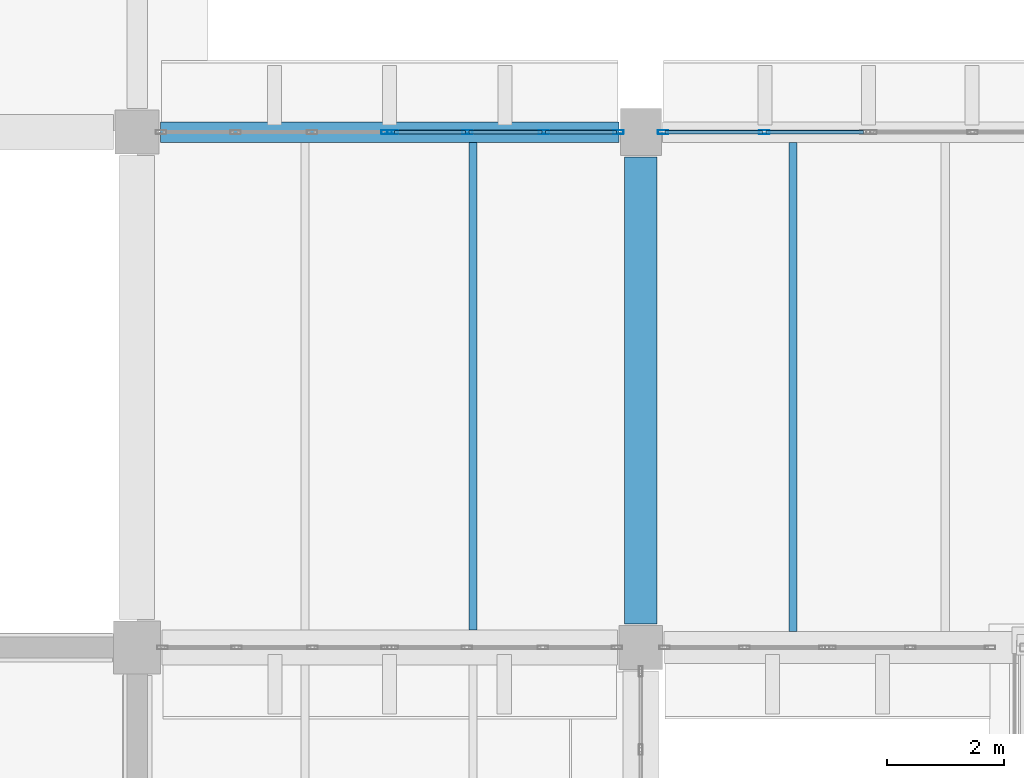
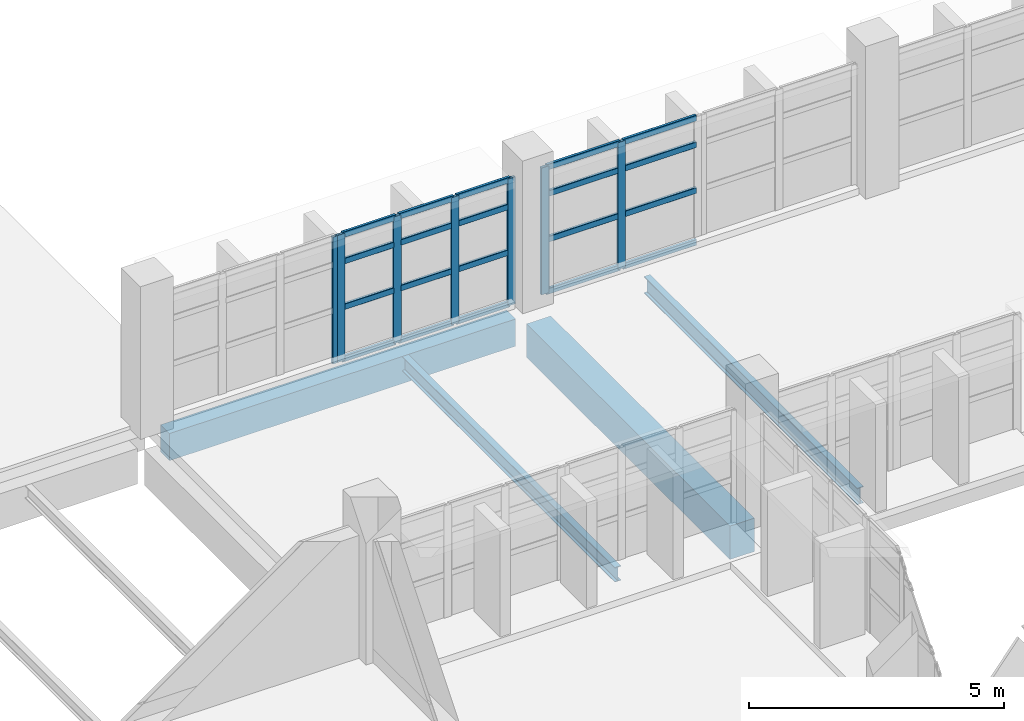
# One storey, part 25 of 80: 27 members, 4 beams, 3 elements without a shape of their own.
"""IFC4 building model written with IfcOpenShell, lengths in metres."""

from ifc_helpers import new_model, si_unit, direction, frame, origin, origin_2d, place, context, subcontext, project, spatial, rectangle, hollow_rectangle, i_section, extrude, material, material_profile, profile_set, type_object, element, aggregate, save


model = new_model("IFC4")

# Units and contexts
model_context = context("Model", 3, precision=1e-05, world=origin(), true_north=direction((0.0, 1.0)))
body_context = subcontext(model_context, "Body", "Model", "MODEL_VIEW")
ifc_project = project(units=[si_unit("LENGTHUNIT", "METRE"), si_unit("AREAUNIT", "SQUARE_METRE"), si_unit("VOLUMEUNIT", "CUBIC_METRE"), si_unit("PLANEANGLEUNIT", "RADIAN"), si_unit("MASSUNIT", "GRAM", prefix="KILO")], contexts=[model_context])

# Site, building, storey
site_placement = place(None, origin())
site = spatial("IfcSite", under=ifc_project, at=site_placement, CompositionType="ELEMENT")
building_placement = place(site_placement, origin())
building = spatial("IfcBuilding", under=site, at=building_placement, Name="Varnakota Cinema and Media Centre", CompositionType="ELEMENT")
storey_placement = place(building_placement, frame((0.0, 0.0, 4.5)))
storey = spatial("IfcBuildingStorey", under=building, at=storey_placement, Name="L01", CompositionType="ELEMENT", Elevation=4.5)

# Beams
ifc_material_1 = material(Name="Concrete M35", Category="concrete")
ifc_material_profile_1 = material_profile(ifc_material_1, rectangle(XDim=0.550048828125, YDim=0.800048828125, at=origin_2d()), Name="RCB 550x800")
ifc_profile_set_1 = profile_set([ifc_material_profile_1], Name="Concrete M35")
beam_type_1 = type_object("IfcBeamType", Name="BM-RC-550x800", PredefinedType="BEAM", material=ifc_profile_set_1)
beam_1_placement = place(storey_placement, frame((51.60009765625, 35.60009765625, -0.64990234375), z_axis=(0.0, 1.0, 0.0), x_axis=(-1.0, 0.0, 0.0)))
element("IfcBeam", 1, at=beam_1_placement, inside=storey, type_object=beam_type_1, Name="L01 girder G/5-6", PredefinedType="BEAM", context=body_context, shape_type="SweptSolid", body=[
    extrude(rectangle(XDim=0.550048828125, YDim=0.800048828125, at=origin_2d()), origin(), (0.0, 0.0, 1.0), 7.974853515625),
])
ifc_material_2 = material(Name="Concrete M40", Category="concrete")
ifc_material_profile_2 = material_profile(ifc_material_2, rectangle(XDim=0.35009765625, YDim=0.64990234375, at=origin_2d()), Name="RCB 350x650")
ifc_profile_set_2 = profile_set([ifc_material_profile_2], Name="Concrete M40")
beam_type_2 = type_object("IfcBeamType", Name="BM-SP-350x650", PredefinedType="SPANDREL", material=ifc_profile_set_2)
beam_2_placement = place(storey_placement, frame((43.39990234375, 44.0, -0.574951171875), z_axis=(1.0, 0.0, 0.0), x_axis=(0.0, 1.0, 0.0)))
element("IfcBeam", 2, at=beam_2_placement, inside=storey, type_object=beam_type_2, Name="L01 girder F-G/6", PredefinedType="SPANDREL", context=body_context, shape_type="SweptSolid", body=[
    extrude(rectangle(XDim=0.35009765625, YDim=0.64990234375, at=origin_2d()), origin(), (0.0, 0.0, 1.0), 7.8251953125),
])
ifc_material_3 = material(Name="Structural steel Grade 350 (E350)", Category="steel")
ifc_material_profile_3 = material_profile(ifc_material_3, i_section(OverallWidth=0.139892578125, OverallDepth=0.35009765625, WebThickness=0.008056640625, FlangeThickness=0.01416015625, FilletRadius=0.013916015625, at=origin_2d()), Name="ISMB 350")
ifc_profile_set_3 = profile_set([ifc_material_profile_3], Name="Structural steel Grade 350 (E350)")
beam_type_3 = type_object("IfcBeamType", Name="BM-ST-ISMB350", PredefinedType="JOIST", material=ifc_profile_set_3)
beam_3_placement = place(storey_placement, frame((48.7333984375, 35.5, -0.425048828125), z_axis=(0.0, 1.0, 0.0), x_axis=(-1.0, 0.0, 0.0)))
element("IfcBeam", 3, at=beam_3_placement, inside=storey, type_object=beam_type_3, Name="L01 steel joist F-G/5-6 #2", PredefinedType="JOIST", context=body_context, shape_type="SweptSolid", body=[
    extrude(i_section(OverallWidth=0.139892578125, OverallDepth=0.35009765625, WebThickness=0.008056640625, FlangeThickness=0.01416015625, FilletRadius=0.013916015625, at=origin_2d()), origin(), (0.0, 0.0, 1.0), 8.324951171875),
])
ifc_material_4 = material(Name="Structural steel Grade 350 (E350)", Category="steel")
ifc_material_profile_4 = material_profile(ifc_material_4, i_section(OverallWidth=0.139892578125, OverallDepth=0.39990234375, WebThickness=0.0087890625, FlangeThickness=0.01611328125, FilletRadius=0.013916015625, at=origin_2d()), Name="ISMB 400")
ifc_profile_set_4 = profile_set([ifc_material_profile_4], Name="Structural steel Grade 350 (E350)")
beam_type_4 = type_object("IfcBeamType", Name="BM-ST-ISMB400", PredefinedType="JOIST", material=ifc_profile_set_4)
beam_4_placement = place(storey_placement, frame((54.199951171875, 35.47509765625, -0.449951171875), z_axis=(0.0, 1.0, 0.0), x_axis=(-1.0, 0.0, 0.0)))
element("IfcBeam", 4, at=beam_4_placement, inside=storey, type_object=beam_type_4, Name="L01 steel joist G-H/5-6 #1", PredefinedType="JOIST", context=body_context, shape_type="SweptSolid", body=[
    extrude(i_section(OverallWidth=0.139892578125, OverallDepth=0.39990234375, WebThickness=0.0087890625, FlangeThickness=0.01611328125, FilletRadius=0.013916015625, at=origin_2d()), origin(), (0.0, 0.0, 1.0), 8.349853515625),
])

# Curtain wall, member
ifc_material_5 = material(Name="Thermally broken anodised aluminium AW-6063", Category="aluminium")
curtain_wall_type_1 = type_object("IfcCurtainWallType", Name="CW-STD-392x304", PredefinedType="USERDEFINED", material=ifc_material_5)
curtain_wall_1_placement = place(storey_placement, origin())
curtain_wall_1 = element("IfcCurtainWall", 5, at=curtain_wall_1_placement, inside=storey, type_object=curtain_wall_type_1, Name="L01 curtain wall CW-L01-LINK-N-01-1", ObjectType="UNITISED CURTAIN WALL", PredefinedType="USERDEFINED")
ifc_material_6 = material(Name="Thermally broken anodised aluminium AW-6063", Category="aluminium")
ifc_material_profile_5 = material_profile(ifc_material_6, hollow_rectangle(XDim=0.06494140625, YDim=0.179931640625, WallThickness=0.00390625, InnerFilletRadius=0.00390625, OuterFilletRadius=0.008056640625, at=origin_2d()), Name="AL-MULLION 180x65x4")
ifc_profile_set_5 = profile_set([ifc_material_profile_5], Name="Thermally broken anodised aluminium AW-6063")
member_type_1 = type_object("IfcMemberType", Name="CWM-AL-180", PredefinedType="MULLION", material=ifc_profile_set_5)
member_1_placement = place(storey_placement, frame((47.260009765625, 44.0, 0.0), z_axis=(0.0, 0.0, 1.0), x_axis=(0.0, 1.0, 0.0)))
member_1 = element("IfcMember", 6, at=member_1_placement, type_object=member_type_1, Name="CW18 mullion 4", PredefinedType="MULLION", context=body_context, shape_type="SweptSolid", body=[
    extrude(hollow_rectangle(XDim=0.06494140625, YDim=0.179931640625, WallThickness=0.00390625, InnerFilletRadius=0.00390625, OuterFilletRadius=0.008056640625, at=origin_2d()), origin(), (0.0, 0.0, 1.0), 3.034912109375),
])
aggregate(curtain_wall_1, [member_1])

# Curtain wall, members
curtain_wall_2_placement = place(storey_placement, origin())
curtain_wall_2 = element("IfcCurtainWall", 7, at=curtain_wall_2_placement, inside=storey, type_object=curtain_wall_type_1, Name="L01 curtain wall CW-L01-LINK-N-01-2", ObjectType="UNITISED CURTAIN WALL", PredefinedType="USERDEFINED")
member_2_placement = place(storey_placement, frame((47.364990234375, 44.0, 0.0), z_axis=(0.0, 0.0, 1.0), x_axis=(0.0, 1.0, 0.0)))
member_2 = element("IfcMember", 8, at=member_2_placement, type_object=member_type_1, Name="CW18 mullion 1", PredefinedType="MULLION", context=body_context, shape_type="SweptSolid", body=[
    extrude(hollow_rectangle(XDim=0.06494140625, YDim=0.179931640625, WallThickness=0.00390625, InnerFilletRadius=0.00390625, OuterFilletRadius=0.008056640625, at=origin_2d()), origin(), (0.0, 0.0, 1.0), 3.034912109375),
])
member_3_placement = place(storey_placement, frame((48.638427734375, 44.0, 0.0), z_axis=(0.0, 0.0, 1.0), x_axis=(0.0, 1.0, 0.0)))
member_3 = element("IfcMember", 9, at=member_3_placement, type_object=member_type_1, Name="CW18 mullion 2", PredefinedType="MULLION", context=body_context, shape_type="SweptSolid", body=[
    extrude(hollow_rectangle(XDim=0.06494140625, YDim=0.179931640625, WallThickness=0.00390625, InnerFilletRadius=0.00390625, OuterFilletRadius=0.008056640625, at=origin_2d()), origin(), (0.0, 0.0, 1.0), 3.034912109375),
])
member_4_placement = place(storey_placement, frame((49.944091796875, 44.0, 0.0), z_axis=(0.0, 0.0, 1.0), x_axis=(0.0, 1.0, 0.0)))
member_4 = element("IfcMember", 10, at=member_4_placement, type_object=member_type_1, Name="CW18 mullion 3", PredefinedType="MULLION", context=body_context, shape_type="SweptSolid", body=[
    extrude(hollow_rectangle(XDim=0.06494140625, YDim=0.179931640625, WallThickness=0.00390625, InnerFilletRadius=0.00390625, OuterFilletRadius=0.008056640625, at=origin_2d()), origin(), (0.0, 0.0, 1.0), 3.034912109375),
])
member_5_placement = place(storey_placement, frame((51.217529296875, 44.0, 0.0), z_axis=(0.0, 0.0, 1.0), x_axis=(0.0, 1.0, 0.0)))
member_5 = element("IfcMember", 11, at=member_5_placement, type_object=member_type_1, Name="CW18 mullion 4", PredefinedType="MULLION", context=body_context, shape_type="SweptSolid", body=[
    extrude(hollow_rectangle(XDim=0.06494140625, YDim=0.179931640625, WallThickness=0.00390625, InnerFilletRadius=0.00390625, OuterFilletRadius=0.008056640625, at=origin_2d()), origin(), (0.0, 0.0, 1.0), 3.034912109375),
])

ifc_material_7 = material(Name="Thermally broken anodised aluminium AW-6063", Category="aluminium")
curtain_wall_type_2 = type_object("IfcCurtainWallType", Name="CW-STD-352x304", PredefinedType="USERDEFINED", material=ifc_material_7)
curtain_wall_3_placement = place(storey_placement, origin())
curtain_wall_3 = element("IfcCurtainWall", 12, at=curtain_wall_3_placement, inside=storey, type_object=curtain_wall_type_2, Name="L01 curtain wall CW-L01-LINK-N-02-1", ObjectType="UNITISED CURTAIN WALL", PredefinedType="USERDEFINED")
member_6_placement = place(storey_placement, frame((51.982421875, 44.0, 0.0), z_axis=(0.0, 0.0, 1.0), x_axis=(0.0, 1.0, 0.0)))
member_6 = element("IfcMember", 13, at=member_6_placement, type_object=member_type_1, Name="CW19 mullion 1", PredefinedType="MULLION", context=body_context, shape_type="SweptSolid", body=[
    extrude(hollow_rectangle(XDim=0.06494140625, YDim=0.179931640625, WallThickness=0.00390625, InnerFilletRadius=0.00390625, OuterFilletRadius=0.008056640625, at=origin_2d()), origin(), (0.0, 0.0, 1.0), 3.034912109375),
])
member_7_placement = place(storey_placement, frame((53.708740234375, 44.0, 0.0), z_axis=(0.0, 0.0, 1.0), x_axis=(0.0, 1.0, 0.0)))
member_7 = element("IfcMember", 14, at=member_7_placement, type_object=member_type_1, Name="CW19 mullion 2", PredefinedType="MULLION", context=body_context, shape_type="SweptSolid", body=[
    extrude(hollow_rectangle(XDim=0.06494140625, YDim=0.179931640625, WallThickness=0.00390625, InnerFilletRadius=0.00390625, OuterFilletRadius=0.008056640625, at=origin_2d()), origin(), (0.0, 0.0, 1.0), 3.034912109375),
])

# Member
ifc_material_8 = material(Name="Thermally broken anodised aluminium AW-6063", Category="aluminium")
ifc_material_profile_6 = material_profile(ifc_material_8, hollow_rectangle(XDim=0.06494140625, YDim=0.139892578125, WallThickness=0.00390625, InnerFilletRadius=0.00390625, OuterFilletRadius=0.008056640625, at=origin_2d()), Name="AL-TRANSOM 140x65x4")
ifc_profile_set_6 = profile_set([ifc_material_profile_6], Name="Thermally broken anodised aluminium AW-6063")
member_type_2 = type_object("IfcMemberType", Name="CWT-AL-140", PredefinedType="USERDEFINED", material=ifc_profile_set_6)
member_8_placement = place(storey_placement, frame((47.3974609375, 44.0, 0.032470703125), z_axis=(1.0, 0.0, 0.0), x_axis=(0.0, 1.0, 0.0)))
member_8 = element("IfcMember", 15, at=member_8_placement, type_object=member_type_2, Name="CW18 transom 1.1", ObjectType="TRANSOM", PredefinedType="USERDEFINED", context=body_context, shape_type="SweptSolid", body=[
    extrude(hollow_rectangle(XDim=0.06494140625, YDim=0.139892578125, WallThickness=0.00390625, InnerFilletRadius=0.00390625, OuterFilletRadius=0.008056640625, at=origin_2d()), origin(), (0.0, 0.0, 1.0), 1.208251953125),
])

member_9_placement = place(storey_placement, frame((47.3974609375, 44.0, 1.274658203125), z_axis=(1.0, 0.0, 0.0), x_axis=(0.0, 1.0, 0.0)))
member_9 = element("IfcMember", 16, at=member_9_placement, type_object=member_type_2, Name="CW18 transom 1.2", ObjectType="TRANSOM", PredefinedType="USERDEFINED", context=body_context, shape_type="SweptSolid", body=[
    extrude(hollow_rectangle(XDim=0.06494140625, YDim=0.139892578125, WallThickness=0.00390625, InnerFilletRadius=0.00390625, OuterFilletRadius=0.008056640625, at=origin_2d()), origin(), (0.0, 0.0, 1.0), 1.208251953125),
])

member_10_placement = place(storey_placement, frame((47.3974609375, 44.0, 2.3671875), z_axis=(1.0, 0.0, 0.0), x_axis=(0.0, 1.0, 0.0)))
member_10 = element("IfcMember", 17, at=member_10_placement, type_object=member_type_2, Name="CW18 transom 1.3", ObjectType="TRANSOM", PredefinedType="USERDEFINED", context=body_context, shape_type="SweptSolid", body=[
    extrude(hollow_rectangle(XDim=0.06494140625, YDim=0.139892578125, WallThickness=0.00390625, InnerFilletRadius=0.00390625, OuterFilletRadius=0.008056640625, at=origin_2d()), origin(), (0.0, 0.0, 1.0), 1.208251953125),
])

member_11_placement = place(storey_placement, frame((47.3974609375, 44.0, 3.00244140625), z_axis=(1.0, 0.0, 0.0), x_axis=(0.0, 1.0, 0.0)))
member_11 = element("IfcMember", 18, at=member_11_placement, type_object=member_type_2, Name="CW18 transom 1.4", ObjectType="TRANSOM", PredefinedType="USERDEFINED", context=body_context, shape_type="SweptSolid", body=[
    extrude(hollow_rectangle(XDim=0.06494140625, YDim=0.139892578125, WallThickness=0.00390625, InnerFilletRadius=0.00390625, OuterFilletRadius=0.008056640625, at=origin_2d()), origin(), (0.0, 0.0, 1.0), 1.208251953125),
])

member_12_placement = place(storey_placement, frame((48.6708984375, 44.0, 0.032470703125), z_axis=(1.0, 0.0, 0.0), x_axis=(0.0, 1.0, 0.0)))
member_12 = element("IfcMember", 19, at=member_12_placement, type_object=member_type_2, Name="CW18 transom 2.1", ObjectType="TRANSOM", PredefinedType="USERDEFINED", context=body_context, shape_type="SweptSolid", body=[
    extrude(hollow_rectangle(XDim=0.06494140625, YDim=0.139892578125, WallThickness=0.00390625, InnerFilletRadius=0.00390625, OuterFilletRadius=0.008056640625, at=origin_2d()), origin(), (0.0, 0.0, 1.0), 1.24072265625),
])

member_13_placement = place(storey_placement, frame((48.6708984375, 44.0, 1.274658203125), z_axis=(1.0, 0.0, 0.0), x_axis=(0.0, 1.0, 0.0)))
member_13 = element("IfcMember", 20, at=member_13_placement, type_object=member_type_2, Name="CW18 transom 2.2", ObjectType="TRANSOM", PredefinedType="USERDEFINED", context=body_context, shape_type="SweptSolid", body=[
    extrude(hollow_rectangle(XDim=0.06494140625, YDim=0.139892578125, WallThickness=0.00390625, InnerFilletRadius=0.00390625, OuterFilletRadius=0.008056640625, at=origin_2d()), origin(), (0.0, 0.0, 1.0), 1.24072265625),
])

member_14_placement = place(storey_placement, frame((48.6708984375, 44.0, 2.3671875), z_axis=(1.0, 0.0, 0.0), x_axis=(0.0, 1.0, 0.0)))
member_14 = element("IfcMember", 21, at=member_14_placement, type_object=member_type_2, Name="CW18 transom 2.3", ObjectType="TRANSOM", PredefinedType="USERDEFINED", context=body_context, shape_type="SweptSolid", body=[
    extrude(hollow_rectangle(XDim=0.06494140625, YDim=0.139892578125, WallThickness=0.00390625, InnerFilletRadius=0.00390625, OuterFilletRadius=0.008056640625, at=origin_2d()), origin(), (0.0, 0.0, 1.0), 1.24072265625),
])

member_15_placement = place(storey_placement, frame((48.6708984375, 44.0, 3.00244140625), z_axis=(1.0, 0.0, 0.0), x_axis=(0.0, 1.0, 0.0)))
member_15 = element("IfcMember", 22, at=member_15_placement, type_object=member_type_2, Name="CW18 transom 2.4", ObjectType="TRANSOM", PredefinedType="USERDEFINED", context=body_context, shape_type="SweptSolid", body=[
    extrude(hollow_rectangle(XDim=0.06494140625, YDim=0.139892578125, WallThickness=0.00390625, InnerFilletRadius=0.00390625, OuterFilletRadius=0.008056640625, at=origin_2d()), origin(), (0.0, 0.0, 1.0), 1.24072265625),
])

member_16_placement = place(storey_placement, frame((49.9765625, 44.0, 0.032470703125), z_axis=(1.0, 0.0, 0.0), x_axis=(0.0, 1.0, 0.0)))
member_16 = element("IfcMember", 23, at=member_16_placement, type_object=member_type_2, Name="CW18 transom 3.1", ObjectType="TRANSOM", PredefinedType="USERDEFINED", context=body_context, shape_type="SweptSolid", body=[
    extrude(hollow_rectangle(XDim=0.06494140625, YDim=0.139892578125, WallThickness=0.00390625, InnerFilletRadius=0.00390625, OuterFilletRadius=0.008056640625, at=origin_2d()), origin(), (0.0, 0.0, 1.0), 1.20849609375),
])

member_17_placement = place(storey_placement, frame((49.9765625, 44.0, 1.274658203125), z_axis=(1.0, 0.0, 0.0), x_axis=(0.0, 1.0, 0.0)))
member_17 = element("IfcMember", 24, at=member_17_placement, type_object=member_type_2, Name="CW18 transom 3.2", ObjectType="TRANSOM", PredefinedType="USERDEFINED", context=body_context, shape_type="SweptSolid", body=[
    extrude(hollow_rectangle(XDim=0.06494140625, YDim=0.139892578125, WallThickness=0.00390625, InnerFilletRadius=0.00390625, OuterFilletRadius=0.008056640625, at=origin_2d()), origin(), (0.0, 0.0, 1.0), 1.20849609375),
])

member_18_placement = place(storey_placement, frame((49.9765625, 44.0, 2.3671875), z_axis=(1.0, 0.0, 0.0), x_axis=(0.0, 1.0, 0.0)))
member_18 = element("IfcMember", 25, at=member_18_placement, type_object=member_type_2, Name="CW18 transom 3.3", ObjectType="TRANSOM", PredefinedType="USERDEFINED", context=body_context, shape_type="SweptSolid", body=[
    extrude(hollow_rectangle(XDim=0.06494140625, YDim=0.139892578125, WallThickness=0.00390625, InnerFilletRadius=0.00390625, OuterFilletRadius=0.008056640625, at=origin_2d()), origin(), (0.0, 0.0, 1.0), 1.20849609375),
])

member_19_placement = place(storey_placement, frame((49.9765625, 44.0, 3.00244140625), z_axis=(1.0, 0.0, 0.0), x_axis=(0.0, 1.0, 0.0)))
member_19 = element("IfcMember", 26, at=member_19_placement, type_object=member_type_2, Name="CW18 transom 3.4", ObjectType="TRANSOM", PredefinedType="USERDEFINED", context=body_context, shape_type="SweptSolid", body=[
    extrude(hollow_rectangle(XDim=0.06494140625, YDim=0.139892578125, WallThickness=0.00390625, InnerFilletRadius=0.00390625, OuterFilletRadius=0.008056640625, at=origin_2d()), origin(), (0.0, 0.0, 1.0), 1.20849609375),
])

aggregate(curtain_wall_2, [member_2, member_3, member_4, member_5, member_8, member_9, member_10, member_11, member_12, member_13, member_14, member_15, member_16, member_17, member_18, member_19])

member_20_placement = place(storey_placement, frame((52.014892578125, 44.0, 0.032470703125), z_axis=(1.0, 0.0, 0.0), x_axis=(0.0, 1.0, 0.0)))
member_20 = element("IfcMember", 27, at=member_20_placement, type_object=member_type_2, Name="CW19 transom 1.1", ObjectType="TRANSOM", PredefinedType="USERDEFINED", context=body_context, shape_type="SweptSolid", body=[
    extrude(hollow_rectangle(XDim=0.06494140625, YDim=0.139892578125, WallThickness=0.00390625, InnerFilletRadius=0.00390625, OuterFilletRadius=0.008056640625, at=origin_2d()), origin(), (0.0, 0.0, 1.0), 1.661376953125),
])

member_21_placement = place(storey_placement, frame((52.014892578125, 44.0, 1.274658203125), z_axis=(1.0, 0.0, 0.0), x_axis=(0.0, 1.0, 0.0)))
member_21 = element("IfcMember", 28, at=member_21_placement, type_object=member_type_2, Name="CW19 transom 1.2", ObjectType="TRANSOM", PredefinedType="USERDEFINED", context=body_context, shape_type="SweptSolid", body=[
    extrude(hollow_rectangle(XDim=0.06494140625, YDim=0.139892578125, WallThickness=0.00390625, InnerFilletRadius=0.00390625, OuterFilletRadius=0.008056640625, at=origin_2d()), origin(), (0.0, 0.0, 1.0), 1.661376953125),
])

member_22_placement = place(storey_placement, frame((52.014892578125, 44.0, 2.3671875), z_axis=(1.0, 0.0, 0.0), x_axis=(0.0, 1.0, 0.0)))
member_22 = element("IfcMember", 29, at=member_22_placement, type_object=member_type_2, Name="CW19 transom 1.3", ObjectType="TRANSOM", PredefinedType="USERDEFINED", context=body_context, shape_type="SweptSolid", body=[
    extrude(hollow_rectangle(XDim=0.06494140625, YDim=0.139892578125, WallThickness=0.00390625, InnerFilletRadius=0.00390625, OuterFilletRadius=0.008056640625, at=origin_2d()), origin(), (0.0, 0.0, 1.0), 1.661376953125),
])

member_23_placement = place(storey_placement, frame((52.014892578125, 44.0, 3.00244140625), z_axis=(1.0, 0.0, 0.0), x_axis=(0.0, 1.0, 0.0)))
member_23 = element("IfcMember", 30, at=member_23_placement, type_object=member_type_2, Name="CW19 transom 1.4", ObjectType="TRANSOM", PredefinedType="USERDEFINED", context=body_context, shape_type="SweptSolid", body=[
    extrude(hollow_rectangle(XDim=0.06494140625, YDim=0.139892578125, WallThickness=0.00390625, InnerFilletRadius=0.00390625, OuterFilletRadius=0.008056640625, at=origin_2d()), origin(), (0.0, 0.0, 1.0), 1.661376953125),
])

member_24_placement = place(storey_placement, frame((53.7412109375, 44.0, 0.032470703125), z_axis=(1.0, 0.0, 0.0), x_axis=(0.0, 1.0, 0.0)))
member_24 = element("IfcMember", 31, at=member_24_placement, type_object=member_type_2, Name="CW19 transom 2.1", ObjectType="TRANSOM", PredefinedType="USERDEFINED", context=body_context, shape_type="SweptSolid", body=[
    extrude(hollow_rectangle(XDim=0.06494140625, YDim=0.139892578125, WallThickness=0.00390625, InnerFilletRadius=0.00390625, OuterFilletRadius=0.008056640625, at=origin_2d()), origin(), (0.0, 0.0, 1.0), 1.661376953125),
])

member_25_placement = place(storey_placement, frame((53.7412109375, 44.0, 1.274658203125), z_axis=(1.0, 0.0, 0.0), x_axis=(0.0, 1.0, 0.0)))
member_25 = element("IfcMember", 32, at=member_25_placement, type_object=member_type_2, Name="CW19 transom 2.2", ObjectType="TRANSOM", PredefinedType="USERDEFINED", context=body_context, shape_type="SweptSolid", body=[
    extrude(hollow_rectangle(XDim=0.06494140625, YDim=0.139892578125, WallThickness=0.00390625, InnerFilletRadius=0.00390625, OuterFilletRadius=0.008056640625, at=origin_2d()), origin(), (0.0, 0.0, 1.0), 1.661376953125),
])

member_26_placement = place(storey_placement, frame((53.7412109375, 44.0, 2.3671875), z_axis=(1.0, 0.0, 0.0), x_axis=(0.0, 1.0, 0.0)))
member_26 = element("IfcMember", 33, at=member_26_placement, type_object=member_type_2, Name="CW19 transom 2.3", ObjectType="TRANSOM", PredefinedType="USERDEFINED", context=body_context, shape_type="SweptSolid", body=[
    extrude(hollow_rectangle(XDim=0.06494140625, YDim=0.139892578125, WallThickness=0.00390625, InnerFilletRadius=0.00390625, OuterFilletRadius=0.008056640625, at=origin_2d()), origin(), (0.0, 0.0, 1.0), 1.661376953125),
])

member_27_placement = place(storey_placement, frame((53.7412109375, 44.0, 3.00244140625), z_axis=(1.0, 0.0, 0.0), x_axis=(0.0, 1.0, 0.0)))
member_27 = element("IfcMember", 34, at=member_27_placement, type_object=member_type_2, Name="CW19 transom 2.4", ObjectType="TRANSOM", PredefinedType="USERDEFINED", context=body_context, shape_type="SweptSolid", body=[
    extrude(hollow_rectangle(XDim=0.06494140625, YDim=0.139892578125, WallThickness=0.00390625, InnerFilletRadius=0.00390625, OuterFilletRadius=0.008056640625, at=origin_2d()), origin(), (0.0, 0.0, 1.0), 1.661376953125),
])

aggregate(curtain_wall_3, [member_6, member_7, member_20, member_21, member_22, member_23, member_24, member_25, member_26, member_27])

save(model, "model.ifc")
